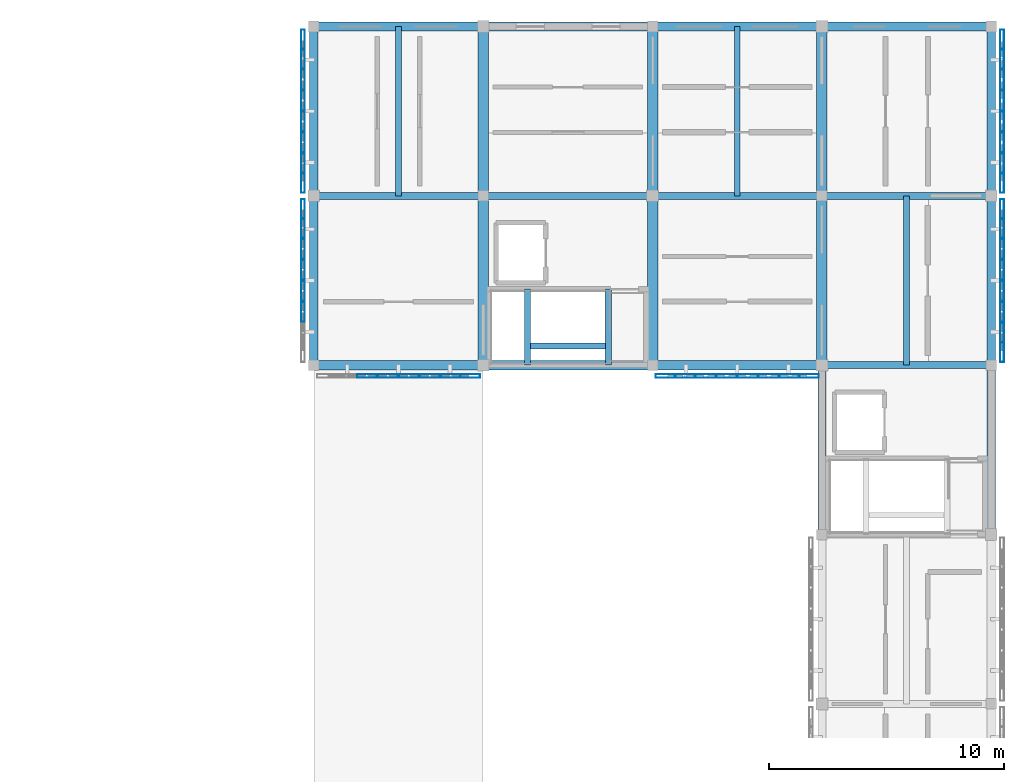
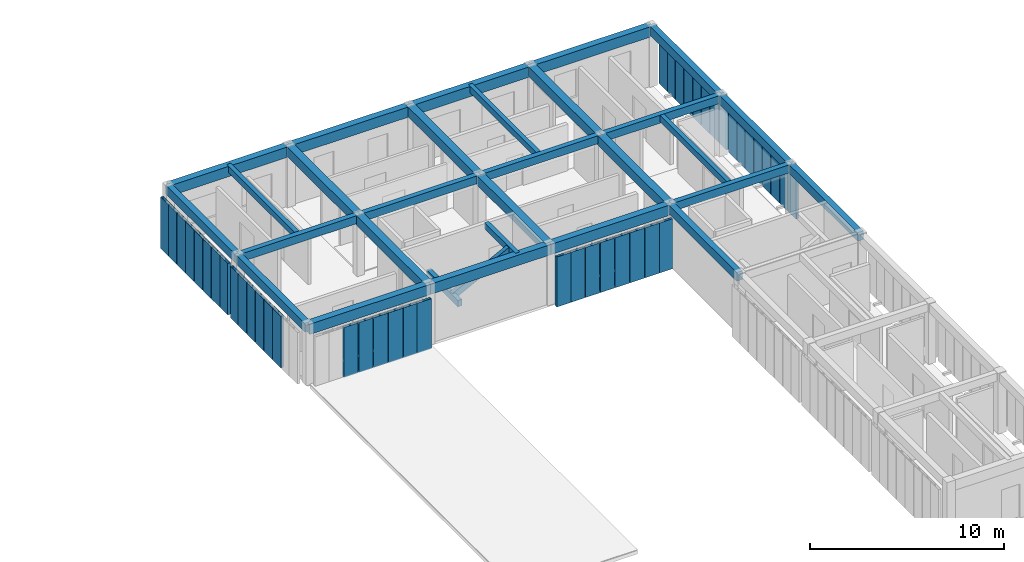
# One storey, part 6 of 33: 44 members, 30 beams, 6 elements without a shape of their own.
"""IFC4 building model written with IfcOpenShell, lengths in metres."""

from ifc_helpers import new_model, si_unit, direction, frame, origin, origin_2d, place, context, subcontext, project, spatial, rectangle, hollow_rectangle, extrude, material, material_profile, profile_set, type_object, element, aggregate, save


model = new_model("IFC4")

# Units and contexts
model_context = context("Model", 3, precision=1e-05, world=origin(), true_north=direction((0.0, 1.0)))
body_context = subcontext(model_context, "Body", "Model", "MODEL_VIEW")
ifc_project = project(units=[si_unit("LENGTHUNIT", "METRE"), si_unit("AREAUNIT", "SQUARE_METRE"), si_unit("VOLUMEUNIT", "CUBIC_METRE"), si_unit("PLANEANGLEUNIT", "RADIAN"), si_unit("MASSUNIT", "GRAM", prefix="KILO")], contexts=[model_context])

# Site, building, storey
site_placement = place(None, origin())
site = spatial("IfcSite", under=ifc_project, at=site_placement, CompositionType="ELEMENT")
building_placement = place(site_placement, origin())
building = spatial("IfcBuilding", under=site, at=building_placement, Name="Aldebral Square Health Centre", CompositionType="ELEMENT")
storey_placement = place(building_placement, frame((0.0, 0.0, 17.550048828125)))
storey = spatial("IfcBuildingStorey", under=building, at=storey_placement, Name="L04", CompositionType="ELEMENT", Elevation=17.550048828125)

# Beams
ifc_material_1 = material(Name="Concrete C40/50", Category="concrete")
ifc_material_profile_1 = material_profile(ifc_material_1, rectangle(XDim=0.39990234375, YDim=0.64990234375, at=origin_2d()), Name="RC 400x650")
ifc_profile_set_1 = profile_set([ifc_material_profile_1], Name="Concrete C40/50")
beam_type_1 = type_object("IfcBeamType", Name="BM-B1", PredefinedType="BEAM", material=ifc_profile_set_1)
for number, where, z_axis, x_axis, name in (
    (1, (136.800048828125, 100.800048828125, 3.474853515625), (1.0, 0.0, 0.0), (0.0, 1.0, 0.0), "L04 X-beam 20-21/G15"),
    (2, (136.800048828125, 115.199951171875, 3.474853515625), (1.0, 0.0, 0.0), (0.0, 1.0, 0.0), "L04 X-beam 20-21/G17"),
    (3, (144.0, 100.800048828125, 3.474853515625), (1.0, 0.0, 0.0), (0.0, 1.0, 0.0), "L04 X-beam 21-22/G15"),
    (4, (144.0, 115.199951171875, 3.474853515625), (1.0, 0.0, 0.0), (0.0, 1.0, 0.0), "L04 X-beam 21-22/G17"),
    (5, (151.199951171875, 100.800048828125, 3.474853515625), (1.0, 0.0, 0.0), (0.0, 1.0, 0.0), "L04 X-beam 22-23/G15"),
    (6, (151.199951171875, 115.199951171875, 3.474853515625), (1.0, 0.0, 0.0), (0.0, 1.0, 0.0), "L04 X-beam 22-23/G17"),
):
    element("IfcBeam", number, at=place(storey_placement, frame(where, z_axis=z_axis, x_axis=x_axis)), inside=storey, type_object=beam_type_1, Name=name, PredefinedType="BEAM", context=body_context, shape_type="SweptSolid", body=[
        extrude(rectangle(XDim=0.39990234375, YDim=0.64990234375, at=origin_2d()), origin(), (0.0, 0.0, 1.0), 7.199951171875),
    ])
beam_1_placement = place(storey_placement, frame((158.39990234375, 115.199951171875, 3.474853515625), z_axis=(1.0, 0.0, 0.0), x_axis=(0.0, 1.0, 0.0)))
element("IfcBeam", 7, at=beam_1_placement, inside=storey, type_object=beam_type_1, Name="L04 X-beam 23-24/G17", PredefinedType="BEAM", context=body_context, shape_type="SweptSolid", body=[
    extrude(rectangle(XDim=0.39990234375, YDim=0.64990234375, at=origin_2d()), origin(), (0.0, 0.0, 1.0), 7.2001953125),
])
ifc_material_profile_2 = material_profile(ifc_material_1, rectangle(XDim=0.35009765625, YDim=0.550048828125, at=origin_2d()), Name="RC 350x550")
ifc_profile_set_2 = profile_set([ifc_material_profile_2], Name="Concrete C40/50")
beam_type_2 = type_object("IfcBeamType", Name="BM-B3", PredefinedType="BEAM", material=ifc_profile_set_2)
for number, where, z_axis, x_axis, name in (
    (8, (136.800048828125, 100.800048828125, 3.52490234375), (0.0, 1.0, 0.0), (-1.0, 0.0, 0.0), "L04 Y-beam G20/15-16"),
    (9, (136.800048828125, 108.0, 3.52490234375), (0.0, 1.0, 0.0), (-1.0, 0.0, 0.0), "L04 Y-beam G20/16-17"),
    (10, (158.39990234375, 93.60009765625, 3.52490234375), (0.0, 1.0, 0.0), (-1.0, 0.0, 0.0), "L04 Y-beam G23/14-15"),
    (11, (165.60009765625, 93.60009765625, 3.52490234375), (0.0, 1.0, 0.0), (-1.0, 0.0, 0.0), "L04 Y-beam G24/14-15"),
    (12, (165.60009765625, 100.800048828125, 3.52490234375), (0.0, 1.0, 0.0), (-1.0, 0.0, 0.0), "L04 Y-beam G24/15-16"),
    (13, (165.60009765625, 108.0, 3.52490234375), (0.0, 1.0, 0.0), (-1.0, 0.0, 0.0), "L04 Y-beam G24/16-17"),
):
    element("IfcBeam", number, at=place(storey_placement, frame(where, z_axis=z_axis, x_axis=x_axis)), inside=storey, type_object=beam_type_2, Name=name, PredefinedType="BEAM", context=body_context, shape_type="SweptSolid", body=[
        extrude(rectangle(XDim=0.35009765625, YDim=0.550048828125, at=origin_2d()), origin(), (0.0, 0.0, 1.0), 7.199951171875),
    ])
ifc_material_profile_3 = material_profile(ifc_material_1, rectangle(XDim=0.300048828125, YDim=0.5, at=origin_2d()), Name="RC 300x500")
ifc_profile_set_3 = profile_set([ifc_material_profile_3], Name="Concrete C40/50")
beam_type_3 = type_object("IfcBeamType", Name="BM-B4", PredefinedType="BEAM", material=ifc_profile_set_3)
for number, where, z_axis, x_axis, name in (
    (14, (136.800048828125, 108.0, 3.550048828125), (1.0, 0.0, 0.0), (0.0, 1.0, 0.0), "L04 X-beam 20-21/G16"),
    (15, (144.0, 108.0, 3.550048828125), (1.0, 0.0, 0.0), (0.0, 1.0, 0.0), "L04 X-beam 21-22/G16"),
    (16, (151.199951171875, 108.0, 3.550048828125), (1.0, 0.0, 0.0), (0.0, 1.0, 0.0), "L04 X-beam 22-23/G16"),
):
    element("IfcBeam", number, at=place(storey_placement, frame(where, z_axis=z_axis, x_axis=x_axis)), inside=storey, type_object=beam_type_3, Name=name, PredefinedType="BEAM", context=body_context, shape_type="SweptSolid", body=[
        extrude(rectangle(XDim=0.300048828125, YDim=0.5, at=origin_2d()), origin(), (0.0, 0.0, 1.0), 7.199951171875),
    ])
for number, where, z_axis, x_axis, name in (
    (17, (158.39990234375, 100.800048828125, 3.550048828125), (1.0, 0.0, 0.0), (0.0, 1.0, 0.0), "L04 X-beam 23-24/G15"),
    (18, (158.39990234375, 108.0, 3.550048828125), (1.0, 0.0, 0.0), (0.0, 1.0, 0.0), "L04 X-beam 23-24/G16"),
):
    element("IfcBeam", number, at=place(storey_placement, frame(where, z_axis=z_axis, x_axis=x_axis)), inside=storey, type_object=beam_type_3, Name=name, PredefinedType="BEAM", context=body_context, shape_type="SweptSolid", body=[
        extrude(rectangle(XDim=0.300048828125, YDim=0.5, at=origin_2d()), origin(), (0.0, 0.0, 1.0), 7.2001953125),
    ])
ifc_material_profile_4 = material_profile(ifc_material_1, rectangle(XDim=0.25, YDim=0.39990234375, at=origin_2d()), Name="RC 250x400")
ifc_profile_set_4 = profile_set([ifc_material_profile_4], Name="Concrete C40/50")
beam_type_4 = type_object("IfcBeamType", Name="BM-B6", PredefinedType="JOIST", material=ifc_profile_set_4)
for number, where, z_axis, x_axis, name in (
    (19, (140.39990234375, 108.0, 3.599853515625), (0.0, 1.0, 0.0), (-1.0, 0.0, 0.0), "L04 secondary rib 20.16"),
    (20, (154.800048828125, 108.0, 3.599853515625), (0.0, 1.0, 0.0), (-1.0, 0.0, 0.0), "L04 secondary rib 22.16"),
    (21, (162.0, 100.800048828125, 3.599853515625), (0.0, 1.0, 0.0), (-1.0, 0.0, 0.0), "L04 secondary rib 23.15"),
):
    element("IfcBeam", number, at=place(storey_placement, frame(where, z_axis=z_axis, x_axis=x_axis)), inside=storey, type_object=beam_type_4, Name=name, PredefinedType="JOIST", context=body_context, shape_type="SweptSolid", body=[
        extrude(rectangle(XDim=0.25, YDim=0.39990234375, at=origin_2d()), origin(), (0.0, 0.0, 1.0), 7.199951171875),
    ])
for number, where, z_axis, x_axis, name in (
    (22, (145.8798828125, 100.81005859375, 1.824951171875), (0.0, 1.0, 0.0), (-1.0, 0.0, 0.0), "L04 WC-C4 half-landing beam"),
    (23, (149.320068359375, 100.81005859375, 3.599853515625), (0.0, 1.0, 0.0), (-1.0, 0.0, 0.0), "L04 WC-C4 upper landing beam"),
):
    element("IfcBeam", number, at=place(storey_placement, frame(where, z_axis=z_axis, x_axis=x_axis)), inside=storey, type_object=beam_type_4, Name=name, PredefinedType="JOIST", context=body_context, shape_type="SweptSolid", body=[
        extrude(rectangle(XDim=0.25, YDim=0.39990234375, at=origin_2d()), origin(), (0.0, 0.0, 1.0), 3.219970703125),
    ])
beam_2_placement = place(storey_placement, frame((145.8798828125, 101.6201171875, 1.824951171875), z_axis=(0.888691954156, 0.0, 0.458504755284), x_axis=(0.0, 1.0, 0.0)))
element("IfcBeam", 24, at=beam_2_placement, inside=storey, type_object=beam_type_4, Name="L04 WC-C4 flight stringer beam", PredefinedType="JOIST", context=body_context, shape_type="SweptSolid", body=[
    extrude(rectangle(XDim=0.25, YDim=0.39990234375, at=origin_2d()), origin(), (0.0, 0.0, 1.0), 3.87109375),
])
ifc_material_profile_5 = material_profile(ifc_material_1, rectangle(XDim=0.449951171875, YDim=0.60009765625, at=origin_2d()), Name="RC 450x600")
ifc_profile_set_5 = profile_set([ifc_material_profile_5], Name="Concrete C40/50")
beam_type_5 = type_object("IfcBeamType", Name="BM-LN1", PredefinedType="LINTEL", material=ifc_profile_set_5)
for number, where, z_axis, x_axis, name in (
    (25, (144.0, 100.800048828125, 3.5), (0.0, 1.0, 0.0), (-1.0, 0.0, 0.0), "L04 Y-beam G21/15-16"),
    (26, (144.0, 108.0, 3.5), (0.0, 1.0, 0.0), (-1.0, 0.0, 0.0), "L04 Y-beam G21/16-17"),
    (27, (151.199951171875, 100.800048828125, 3.5), (0.0, 1.0, 0.0), (-1.0, 0.0, 0.0), "L04 Y-beam G22/15-16"),
    (28, (151.199951171875, 108.0, 3.5), (0.0, 1.0, 0.0), (-1.0, 0.0, 0.0), "L04 Y-beam G22/16-17"),
    (29, (158.39990234375, 100.800048828125, 3.5), (0.0, 1.0, 0.0), (-1.0, 0.0, 0.0), "L04 Y-beam G23/15-16"),
    (30, (158.39990234375, 108.0, 3.5), (0.0, 1.0, 0.0), (-1.0, 0.0, 0.0), "L04 Y-beam G23/16-17"),
):
    element("IfcBeam", number, at=place(storey_placement, frame(where, z_axis=z_axis, x_axis=x_axis)), inside=storey, type_object=beam_type_5, Name=name, PredefinedType="LINTEL", context=body_context, shape_type="SweptSolid", body=[
        extrude(rectangle(XDim=0.449951171875, YDim=0.60009765625, at=origin_2d()), origin(), (0.0, 0.0, 1.0), 7.199951171875),
    ])

# Curtain wall, members
ifc_material_2 = material(Name="Aluminium and low-E solar glass", Category="aluminium")
curtain_wall_type = type_object("IfcCurtainWallType", Name="CW-FIN-SYS", PredefinedType="USERDEFINED", material=ifc_material_2)
curtain_wall_1_placement = place(storey_placement, origin())
curtain_wall_1 = element("IfcCurtainWall", 31, at=curtain_wall_1_placement, inside=storey, type_object=curtain_wall_type, Name="L04 V5 finned curtain wall L04-V5-19-14-S", ObjectType="SOLAR_CURTAIN_WALL", PredefinedType="USERDEFINED")
ifc_material_3 = material(Name="Sienna-terracotta clad aluminium fin", Category="masonry")
ifc_material_profile_6 = material_profile(ifc_material_3, hollow_rectangle(XDim=0.159912109375, YDim=0.85009765625, WallThickness=0.006103515625, at=origin_2d()), Name="FIN 160x850x6")
ifc_profile_set_6 = profile_set([ifc_material_profile_6], Name="Sienna-terracotta clad aluminium fin")
member_type = type_object("IfcMemberType", Name="CWM-FIN", PredefinedType="MULLION", material=ifc_profile_set_6)
member_1_placement = place(storey_placement, frame((139.062744140625, 100.340087890625, 0.0), z_axis=(0.0, 0.0, 1.0), x_axis=(0.0, 1.0, 0.0)))
member_1 = element("IfcMember", 32, at=member_1_placement, type_object=member_type, Name="CW1 mullion 3", PredefinedType="MULLION", context=body_context, shape_type="SweptSolid", body=[
    extrude(hollow_rectangle(XDim=0.159912109375, YDim=0.85009765625, WallThickness=0.006103515625, at=origin_2d()), origin(), (0.0, 0.0, 1.0), 3.14990234375),
])
member_2_placement = place(storey_placement, frame((139.954345703125, 100.340087890625, 0.0), z_axis=(0.0, 0.0, 1.0), x_axis=(0.0, 1.0, 0.0)))
member_2 = element("IfcMember", 33, at=member_2_placement, type_object=member_type, Name="CW1 mullion 4", PredefinedType="MULLION", context=body_context, shape_type="SweptSolid", body=[
    extrude(hollow_rectangle(XDim=0.159912109375, YDim=0.85009765625, WallThickness=0.006103515625, at=origin_2d()), origin(), (0.0, 0.0, 1.0), 3.14990234375),
])
member_3_placement = place(storey_placement, frame((140.845703125, 100.340087890625, 0.0), z_axis=(0.0, 0.0, 1.0), x_axis=(0.0, 1.0, 0.0)))
member_3 = element("IfcMember", 34, at=member_3_placement, type_object=member_type, Name="CW1 mullion 5", PredefinedType="MULLION", context=body_context, shape_type="SweptSolid", body=[
    extrude(hollow_rectangle(XDim=0.159912109375, YDim=0.85009765625, WallThickness=0.006103515625, at=origin_2d()), origin(), (0.0, 0.0, 1.0), 3.14990234375),
])
member_4_placement = place(storey_placement, frame((141.737060546875, 100.340087890625, 0.0), z_axis=(0.0, 0.0, 1.0), x_axis=(0.0, 1.0, 0.0)))
member_4 = element("IfcMember", 35, at=member_4_placement, type_object=member_type, Name="CW1 mullion 6", PredefinedType="MULLION", context=body_context, shape_type="SweptSolid", body=[
    extrude(hollow_rectangle(XDim=0.159912109375, YDim=0.85009765625, WallThickness=0.006103515625, at=origin_2d()), origin(), (0.0, 0.0, 1.0), 3.14990234375),
])
member_5_placement = place(storey_placement, frame((142.628662109375, 100.340087890625, 0.0), z_axis=(0.0, 0.0, 1.0), x_axis=(0.0, 1.0, 0.0)))
member_5 = element("IfcMember", 36, at=member_5_placement, type_object=member_type, Name="CW1 mullion 7", PredefinedType="MULLION", context=body_context, shape_type="SweptSolid", body=[
    extrude(hollow_rectangle(XDim=0.159912109375, YDim=0.85009765625, WallThickness=0.006103515625, at=origin_2d()), origin(), (0.0, 0.0, 1.0), 3.14990234375),
])
member_6_placement = place(storey_placement, frame((143.43994140625, 100.340087890625, 0.0), z_axis=(0.0, 0.0, 1.0), x_axis=(0.0, 1.0, 0.0)))
member_6 = element("IfcMember", 37, at=member_6_placement, type_object=member_type, Name="CW1 mullion 8", PredefinedType="MULLION", context=body_context, shape_type="SweptSolid", body=[
    extrude(hollow_rectangle(XDim=0.159912109375, YDim=0.85009765625, WallThickness=0.006103515625, at=origin_2d()), origin(), (0.0, 0.0, 1.0), 3.14990234375),
])
aggregate(curtain_wall_1, [member_1, member_2, member_3, member_4, member_5, member_6])

curtain_wall_2_placement = place(storey_placement, origin())
curtain_wall_2 = element("IfcCurtainWall", 38, at=curtain_wall_2_placement, inside=storey, type_object=curtain_wall_type, Name="L04 V5 finned curtain wall L04-V5-19-14-W", ObjectType="SOLAR_CURTAIN_WALL", PredefinedType="USERDEFINED")
member_7_placement = place(storey_placement, frame((136.340087890625, 107.43994140625, 0.0), z_axis=(0.0, 0.0, 1.0), x_axis=(1.0, 0.0, 0.0)))
member_7 = element("IfcMember", 39, at=member_7_placement, type_object=member_type, Name="CW1 mullion 1", PredefinedType="MULLION", context=body_context, shape_type="SweptSolid", body=[
    extrude(hollow_rectangle(XDim=0.159912109375, YDim=0.85009765625, WallThickness=0.006103515625, at=origin_2d()), origin(), (0.0, 0.0, 1.0), 3.25),
])
member_8_placement = place(storey_placement, frame((136.340087890625, 106.628662109375, 0.0), z_axis=(0.0, 0.0, 1.0), x_axis=(1.0, 0.0, 0.0)))
member_8 = element("IfcMember", 40, at=member_8_placement, type_object=member_type, Name="CW1 mullion 2", PredefinedType="MULLION", context=body_context, shape_type="SweptSolid", body=[
    extrude(hollow_rectangle(XDim=0.159912109375, YDim=0.85009765625, WallThickness=0.006103515625, at=origin_2d()), origin(), (0.0, 0.0, 1.0), 3.25),
])
member_9_placement = place(storey_placement, frame((136.340087890625, 105.737060546875, 0.0), z_axis=(0.0, 0.0, 1.0), x_axis=(1.0, 0.0, 0.0)))
member_9 = element("IfcMember", 41, at=member_9_placement, type_object=member_type, Name="CW1 mullion 3", PredefinedType="MULLION", context=body_context, shape_type="SweptSolid", body=[
    extrude(hollow_rectangle(XDim=0.159912109375, YDim=0.85009765625, WallThickness=0.006103515625, at=origin_2d()), origin(), (0.0, 0.0, 1.0), 3.25),
])
member_10_placement = place(storey_placement, frame((136.340087890625, 104.845703125, 0.0), z_axis=(0.0, 0.0, 1.0), x_axis=(1.0, 0.0, 0.0)))
member_10 = element("IfcMember", 42, at=member_10_placement, type_object=member_type, Name="CW1 mullion 4", PredefinedType="MULLION", context=body_context, shape_type="SweptSolid", body=[
    extrude(hollow_rectangle(XDim=0.159912109375, YDim=0.85009765625, WallThickness=0.006103515625, at=origin_2d()), origin(), (0.0, 0.0, 1.0), 3.25),
])
member_11_placement = place(storey_placement, frame((136.340087890625, 103.954345703125, 0.0), z_axis=(0.0, 0.0, 1.0), x_axis=(1.0, 0.0, 0.0)))
member_11 = element("IfcMember", 43, at=member_11_placement, type_object=member_type, Name="CW1 mullion 5", PredefinedType="MULLION", context=body_context, shape_type="SweptSolid", body=[
    extrude(hollow_rectangle(XDim=0.159912109375, YDim=0.85009765625, WallThickness=0.006103515625, at=origin_2d()), origin(), (0.0, 0.0, 1.0), 3.25),
])
member_12_placement = place(storey_placement, frame((136.340087890625, 103.062744140625, 0.0), z_axis=(0.0, 0.0, 1.0), x_axis=(1.0, 0.0, 0.0)))
member_12 = element("IfcMember", 44, at=member_12_placement, type_object=member_type, Name="CW1 mullion 6", PredefinedType="MULLION", context=body_context, shape_type="SweptSolid", body=[
    extrude(hollow_rectangle(XDim=0.159912109375, YDim=0.85009765625, WallThickness=0.006103515625, at=origin_2d()), origin(), (0.0, 0.0, 1.0), 3.25),
])
aggregate(curtain_wall_2, [member_7, member_8, member_9, member_10, member_11, member_12])

curtain_wall_3_placement = place(storey_placement, origin())
curtain_wall_3 = element("IfcCurtainWall", 45, at=curtain_wall_3_placement, inside=storey, type_object=curtain_wall_type, Name="L04 V5 finned curtain wall L04-V5-19-15-W", ObjectType="SOLAR_CURTAIN_WALL", PredefinedType="USERDEFINED")
member_13_placement = place(storey_placement, frame((136.340087890625, 114.639892578125, 0.0), z_axis=(0.0, 0.0, 1.0), x_axis=(1.0, 0.0, 0.0)))
member_13 = element("IfcMember", 46, at=member_13_placement, type_object=member_type, Name="CW1 mullion 1", PredefinedType="MULLION", context=body_context, shape_type="SweptSolid", body=[
    extrude(hollow_rectangle(XDim=0.159912109375, YDim=0.85009765625, WallThickness=0.006103515625, at=origin_2d()), origin(), (0.0, 0.0, 1.0), 3.25),
])
member_14_placement = place(storey_placement, frame((136.340087890625, 113.82861328125, 0.0), z_axis=(0.0, 0.0, 1.0), x_axis=(1.0, 0.0, 0.0)))
member_14 = element("IfcMember", 47, at=member_14_placement, type_object=member_type, Name="CW1 mullion 2", PredefinedType="MULLION", context=body_context, shape_type="SweptSolid", body=[
    extrude(hollow_rectangle(XDim=0.159912109375, YDim=0.85009765625, WallThickness=0.006103515625, at=origin_2d()), origin(), (0.0, 0.0, 1.0), 3.25),
])
member_15_placement = place(storey_placement, frame((136.340087890625, 112.937255859375, 0.0), z_axis=(0.0, 0.0, 1.0), x_axis=(1.0, 0.0, 0.0)))
member_15 = element("IfcMember", 48, at=member_15_placement, type_object=member_type, Name="CW1 mullion 3", PredefinedType="MULLION", context=body_context, shape_type="SweptSolid", body=[
    extrude(hollow_rectangle(XDim=0.159912109375, YDim=0.85009765625, WallThickness=0.006103515625, at=origin_2d()), origin(), (0.0, 0.0, 1.0), 3.25),
])
member_16_placement = place(storey_placement, frame((136.340087890625, 112.045654296875, 0.0), z_axis=(0.0, 0.0, 1.0), x_axis=(1.0, 0.0, 0.0)))
member_16 = element("IfcMember", 49, at=member_16_placement, type_object=member_type, Name="CW1 mullion 4", PredefinedType="MULLION", context=body_context, shape_type="SweptSolid", body=[
    extrude(hollow_rectangle(XDim=0.159912109375, YDim=0.85009765625, WallThickness=0.006103515625, at=origin_2d()), origin(), (0.0, 0.0, 1.0), 3.25),
])
member_17_placement = place(storey_placement, frame((136.340087890625, 111.154296875, 0.0), z_axis=(0.0, 0.0, 1.0), x_axis=(1.0, 0.0, 0.0)))
member_17 = element("IfcMember", 50, at=member_17_placement, type_object=member_type, Name="CW1 mullion 5", PredefinedType="MULLION", context=body_context, shape_type="SweptSolid", body=[
    extrude(hollow_rectangle(XDim=0.159912109375, YDim=0.85009765625, WallThickness=0.006103515625, at=origin_2d()), origin(), (0.0, 0.0, 1.0), 3.25),
])
member_18_placement = place(storey_placement, frame((136.340087890625, 110.262939453125, 0.0), z_axis=(0.0, 0.0, 1.0), x_axis=(1.0, 0.0, 0.0)))
member_18 = element("IfcMember", 51, at=member_18_placement, type_object=member_type, Name="CW1 mullion 6", PredefinedType="MULLION", context=body_context, shape_type="SweptSolid", body=[
    extrude(hollow_rectangle(XDim=0.159912109375, YDim=0.85009765625, WallThickness=0.006103515625, at=origin_2d()), origin(), (0.0, 0.0, 1.0), 3.25),
])
member_19_placement = place(storey_placement, frame((136.340087890625, 109.371337890625, 0.0), z_axis=(0.0, 0.0, 1.0), x_axis=(1.0, 0.0, 0.0)))
member_19 = element("IfcMember", 52, at=member_19_placement, type_object=member_type, Name="CW1 mullion 7", PredefinedType="MULLION", context=body_context, shape_type="SweptSolid", body=[
    extrude(hollow_rectangle(XDim=0.159912109375, YDim=0.85009765625, WallThickness=0.006103515625, at=origin_2d()), origin(), (0.0, 0.0, 1.0), 3.25),
])
member_20_placement = place(storey_placement, frame((136.340087890625, 108.56005859375, 0.0), z_axis=(0.0, 0.0, 1.0), x_axis=(1.0, 0.0, 0.0)))
member_20 = element("IfcMember", 53, at=member_20_placement, type_object=member_type, Name="CW1 mullion 8", PredefinedType="MULLION", context=body_context, shape_type="SweptSolid", body=[
    extrude(hollow_rectangle(XDim=0.159912109375, YDim=0.85009765625, WallThickness=0.006103515625, at=origin_2d()), origin(), (0.0, 0.0, 1.0), 3.25),
])
aggregate(curtain_wall_3, [member_13, member_14, member_15, member_16, member_17, member_18, member_19, member_20])

curtain_wall_4_placement = place(storey_placement, origin())
curtain_wall_4 = element("IfcCurtainWall", 54, at=curtain_wall_4_placement, inside=storey, type_object=curtain_wall_type, Name="L04 V5 finned curtain wall L04-V5-21-14-S", ObjectType="SOLAR_CURTAIN_WALL", PredefinedType="USERDEFINED")
member_21_placement = place(storey_placement, frame((151.760009765625, 100.340087890625, 0.0), z_axis=(0.0, 0.0, 1.0), x_axis=(0.0, 1.0, 0.0)))
member_21 = element("IfcMember", 55, at=member_21_placement, type_object=member_type, Name="CW1 mullion 1", PredefinedType="MULLION", context=body_context, shape_type="SweptSolid", body=[
    extrude(hollow_rectangle(XDim=0.159912109375, YDim=0.85009765625, WallThickness=0.006103515625, at=origin_2d()), origin(), (0.0, 0.0, 1.0), 3.14990234375),
])
member_22_placement = place(storey_placement, frame((152.571533203125, 100.340087890625, 0.0), z_axis=(0.0, 0.0, 1.0), x_axis=(0.0, 1.0, 0.0)))
member_22 = element("IfcMember", 56, at=member_22_placement, type_object=member_type, Name="CW1 mullion 2", PredefinedType="MULLION", context=body_context, shape_type="SweptSolid", body=[
    extrude(hollow_rectangle(XDim=0.159912109375, YDim=0.85009765625, WallThickness=0.006103515625, at=origin_2d()), origin(), (0.0, 0.0, 1.0), 3.14990234375),
])
member_23_placement = place(storey_placement, frame((153.462890625, 100.340087890625, 0.0), z_axis=(0.0, 0.0, 1.0), x_axis=(0.0, 1.0, 0.0)))
member_23 = element("IfcMember", 57, at=member_23_placement, type_object=member_type, Name="CW1 mullion 3", PredefinedType="MULLION", context=body_context, shape_type="SweptSolid", body=[
    extrude(hollow_rectangle(XDim=0.159912109375, YDim=0.85009765625, WallThickness=0.006103515625, at=origin_2d()), origin(), (0.0, 0.0, 1.0), 3.14990234375),
])
member_24_placement = place(storey_placement, frame((154.354248046875, 100.340087890625, 0.0), z_axis=(0.0, 0.0, 1.0), x_axis=(0.0, 1.0, 0.0)))
member_24 = element("IfcMember", 58, at=member_24_placement, type_object=member_type, Name="CW1 mullion 4", PredefinedType="MULLION", context=body_context, shape_type="SweptSolid", body=[
    extrude(hollow_rectangle(XDim=0.159912109375, YDim=0.85009765625, WallThickness=0.006103515625, at=origin_2d()), origin(), (0.0, 0.0, 1.0), 3.14990234375),
])
member_25_placement = place(storey_placement, frame((155.24560546875, 100.340087890625, 0.0), z_axis=(0.0, 0.0, 1.0), x_axis=(0.0, 1.0, 0.0)))
member_25 = element("IfcMember", 59, at=member_25_placement, type_object=member_type, Name="CW1 mullion 5", PredefinedType="MULLION", context=body_context, shape_type="SweptSolid", body=[
    extrude(hollow_rectangle(XDim=0.159912109375, YDim=0.85009765625, WallThickness=0.006103515625, at=origin_2d()), origin(), (0.0, 0.0, 1.0), 3.14990234375),
])
member_26_placement = place(storey_placement, frame((156.13720703125, 100.340087890625, 0.0), z_axis=(0.0, 0.0, 1.0), x_axis=(0.0, 1.0, 0.0)))
member_26 = element("IfcMember", 60, at=member_26_placement, type_object=member_type, Name="CW1 mullion 6", PredefinedType="MULLION", context=body_context, shape_type="SweptSolid", body=[
    extrude(hollow_rectangle(XDim=0.159912109375, YDim=0.85009765625, WallThickness=0.006103515625, at=origin_2d()), origin(), (0.0, 0.0, 1.0), 3.14990234375),
])
member_27_placement = place(storey_placement, frame((157.028564453125, 100.340087890625, 0.0), z_axis=(0.0, 0.0, 1.0), x_axis=(0.0, 1.0, 0.0)))
member_27 = element("IfcMember", 61, at=member_27_placement, type_object=member_type, Name="CW1 mullion 7", PredefinedType="MULLION", context=body_context, shape_type="SweptSolid", body=[
    extrude(hollow_rectangle(XDim=0.159912109375, YDim=0.85009765625, WallThickness=0.006103515625, at=origin_2d()), origin(), (0.0, 0.0, 1.0), 3.14990234375),
])
member_28_placement = place(storey_placement, frame((157.840087890625, 100.340087890625, 0.0), z_axis=(0.0, 0.0, 1.0), x_axis=(0.0, 1.0, 0.0)))
member_28 = element("IfcMember", 62, at=member_28_placement, type_object=member_type, Name="CW1 mullion 8", PredefinedType="MULLION", context=body_context, shape_type="SweptSolid", body=[
    extrude(hollow_rectangle(XDim=0.159912109375, YDim=0.85009765625, WallThickness=0.006103515625, at=origin_2d()), origin(), (0.0, 0.0, 1.0), 3.14990234375),
])
aggregate(curtain_wall_4, [member_21, member_22, member_23, member_24, member_25, member_26, member_27, member_28])

curtain_wall_5_placement = place(storey_placement, origin())
curtain_wall_5 = element("IfcCurtainWall", 63, at=curtain_wall_5_placement, inside=storey, type_object=curtain_wall_type, Name="L04 V5 finned curtain wall L04-V5-22-14-E", ObjectType="SOLAR_CURTAIN_WALL", PredefinedType="USERDEFINED")
member_29_placement = place(storey_placement, frame((166.06005859375, 101.360107421875, 0.0), z_axis=(0.0, 0.0, 1.0), x_axis=(-1.0, 0.0, 0.0)))
member_29 = element("IfcMember", 64, at=member_29_placement, type_object=member_type, Name="CW1 mullion 1", PredefinedType="MULLION", context=body_context, shape_type="SweptSolid", body=[
    extrude(hollow_rectangle(XDim=0.159912109375, YDim=0.85009765625, WallThickness=0.006103515625, at=origin_2d()), origin(), (0.0, 0.0, 1.0), 3.25),
])
member_30_placement = place(storey_placement, frame((166.06005859375, 102.17138671875, 0.0), z_axis=(0.0, 0.0, 1.0), x_axis=(-1.0, 0.0, 0.0)))
member_30 = element("IfcMember", 65, at=member_30_placement, type_object=member_type, Name="CW1 mullion 2", PredefinedType="MULLION", context=body_context, shape_type="SweptSolid", body=[
    extrude(hollow_rectangle(XDim=0.159912109375, YDim=0.85009765625, WallThickness=0.006103515625, at=origin_2d()), origin(), (0.0, 0.0, 1.0), 3.25),
])
member_31_placement = place(storey_placement, frame((166.06005859375, 103.062744140625, 0.0), z_axis=(0.0, 0.0, 1.0), x_axis=(-1.0, 0.0, 0.0)))
member_31 = element("IfcMember", 66, at=member_31_placement, type_object=member_type, Name="CW1 mullion 3", PredefinedType="MULLION", context=body_context, shape_type="SweptSolid", body=[
    extrude(hollow_rectangle(XDim=0.159912109375, YDim=0.85009765625, WallThickness=0.006103515625, at=origin_2d()), origin(), (0.0, 0.0, 1.0), 3.25),
])
member_32_placement = place(storey_placement, frame((166.06005859375, 103.954345703125, 0.0), z_axis=(0.0, 0.0, 1.0), x_axis=(-1.0, 0.0, 0.0)))
member_32 = element("IfcMember", 67, at=member_32_placement, type_object=member_type, Name="CW1 mullion 4", PredefinedType="MULLION", context=body_context, shape_type="SweptSolid", body=[
    extrude(hollow_rectangle(XDim=0.159912109375, YDim=0.85009765625, WallThickness=0.006103515625, at=origin_2d()), origin(), (0.0, 0.0, 1.0), 3.25),
])
member_33_placement = place(storey_placement, frame((166.06005859375, 104.845703125, 0.0), z_axis=(0.0, 0.0, 1.0), x_axis=(-1.0, 0.0, 0.0)))
member_33 = element("IfcMember", 68, at=member_33_placement, type_object=member_type, Name="CW1 mullion 5", PredefinedType="MULLION", context=body_context, shape_type="SweptSolid", body=[
    extrude(hollow_rectangle(XDim=0.159912109375, YDim=0.85009765625, WallThickness=0.006103515625, at=origin_2d()), origin(), (0.0, 0.0, 1.0), 3.25),
])
member_34_placement = place(storey_placement, frame((166.06005859375, 105.737060546875, 0.0), z_axis=(0.0, 0.0, 1.0), x_axis=(-1.0, 0.0, 0.0)))
member_34 = element("IfcMember", 69, at=member_34_placement, type_object=member_type, Name="CW1 mullion 6", PredefinedType="MULLION", context=body_context, shape_type="SweptSolid", body=[
    extrude(hollow_rectangle(XDim=0.159912109375, YDim=0.85009765625, WallThickness=0.006103515625, at=origin_2d()), origin(), (0.0, 0.0, 1.0), 3.25),
])
member_35_placement = place(storey_placement, frame((166.06005859375, 106.628662109375, 0.0), z_axis=(0.0, 0.0, 1.0), x_axis=(-1.0, 0.0, 0.0)))
member_35 = element("IfcMember", 70, at=member_35_placement, type_object=member_type, Name="CW1 mullion 7", PredefinedType="MULLION", context=body_context, shape_type="SweptSolid", body=[
    extrude(hollow_rectangle(XDim=0.159912109375, YDim=0.85009765625, WallThickness=0.006103515625, at=origin_2d()), origin(), (0.0, 0.0, 1.0), 3.25),
])
member_36_placement = place(storey_placement, frame((166.06005859375, 107.43994140625, 0.0), z_axis=(0.0, 0.0, 1.0), x_axis=(-1.0, 0.0, 0.0)))
member_36 = element("IfcMember", 71, at=member_36_placement, type_object=member_type, Name="CW1 mullion 8", PredefinedType="MULLION", context=body_context, shape_type="SweptSolid", body=[
    extrude(hollow_rectangle(XDim=0.159912109375, YDim=0.85009765625, WallThickness=0.006103515625, at=origin_2d()), origin(), (0.0, 0.0, 1.0), 3.25),
])
aggregate(curtain_wall_5, [member_29, member_30, member_31, member_32, member_33, member_34, member_35, member_36])

curtain_wall_6_placement = place(storey_placement, origin())
curtain_wall_6 = element("IfcCurtainWall", 72, at=curtain_wall_6_placement, inside=storey, type_object=curtain_wall_type, Name="L04 V5 finned curtain wall L04-V5-22-15-E", ObjectType="SOLAR_CURTAIN_WALL", PredefinedType="USERDEFINED")
member_37_placement = place(storey_placement, frame((166.06005859375, 108.56005859375, 0.0), z_axis=(0.0, 0.0, 1.0), x_axis=(-1.0, 0.0, 0.0)))
member_37 = element("IfcMember", 73, at=member_37_placement, type_object=member_type, Name="CW1 mullion 1", PredefinedType="MULLION", context=body_context, shape_type="SweptSolid", body=[
    extrude(hollow_rectangle(XDim=0.159912109375, YDim=0.85009765625, WallThickness=0.006103515625, at=origin_2d()), origin(), (0.0, 0.0, 1.0), 3.25),
])
member_38_placement = place(storey_placement, frame((166.06005859375, 109.371337890625, 0.0), z_axis=(0.0, 0.0, 1.0), x_axis=(-1.0, 0.0, 0.0)))
member_38 = element("IfcMember", 74, at=member_38_placement, type_object=member_type, Name="CW1 mullion 2", PredefinedType="MULLION", context=body_context, shape_type="SweptSolid", body=[
    extrude(hollow_rectangle(XDim=0.159912109375, YDim=0.85009765625, WallThickness=0.006103515625, at=origin_2d()), origin(), (0.0, 0.0, 1.0), 3.25),
])
member_39_placement = place(storey_placement, frame((166.06005859375, 110.262939453125, 0.0), z_axis=(0.0, 0.0, 1.0), x_axis=(-1.0, 0.0, 0.0)))
member_39 = element("IfcMember", 75, at=member_39_placement, type_object=member_type, Name="CW1 mullion 3", PredefinedType="MULLION", context=body_context, shape_type="SweptSolid", body=[
    extrude(hollow_rectangle(XDim=0.159912109375, YDim=0.85009765625, WallThickness=0.006103515625, at=origin_2d()), origin(), (0.0, 0.0, 1.0), 3.25),
])
member_40_placement = place(storey_placement, frame((166.06005859375, 111.154296875, 0.0), z_axis=(0.0, 0.0, 1.0), x_axis=(-1.0, 0.0, 0.0)))
member_40 = element("IfcMember", 76, at=member_40_placement, type_object=member_type, Name="CW1 mullion 4", PredefinedType="MULLION", context=body_context, shape_type="SweptSolid", body=[
    extrude(hollow_rectangle(XDim=0.159912109375, YDim=0.85009765625, WallThickness=0.006103515625, at=origin_2d()), origin(), (0.0, 0.0, 1.0), 3.25),
])
member_41_placement = place(storey_placement, frame((166.06005859375, 112.045654296875, 0.0), z_axis=(0.0, 0.0, 1.0), x_axis=(-1.0, 0.0, 0.0)))
member_41 = element("IfcMember", 77, at=member_41_placement, type_object=member_type, Name="CW1 mullion 5", PredefinedType="MULLION", context=body_context, shape_type="SweptSolid", body=[
    extrude(hollow_rectangle(XDim=0.159912109375, YDim=0.85009765625, WallThickness=0.006103515625, at=origin_2d()), origin(), (0.0, 0.0, 1.0), 3.25),
])
member_42_placement = place(storey_placement, frame((166.06005859375, 112.937255859375, 0.0), z_axis=(0.0, 0.0, 1.0), x_axis=(-1.0, 0.0, 0.0)))
member_42 = element("IfcMember", 78, at=member_42_placement, type_object=member_type, Name="CW1 mullion 6", PredefinedType="MULLION", context=body_context, shape_type="SweptSolid", body=[
    extrude(hollow_rectangle(XDim=0.159912109375, YDim=0.85009765625, WallThickness=0.006103515625, at=origin_2d()), origin(), (0.0, 0.0, 1.0), 3.25),
])
member_43_placement = place(storey_placement, frame((166.06005859375, 113.82861328125, 0.0), z_axis=(0.0, 0.0, 1.0), x_axis=(-1.0, 0.0, 0.0)))
member_43 = element("IfcMember", 79, at=member_43_placement, type_object=member_type, Name="CW1 mullion 7", PredefinedType="MULLION", context=body_context, shape_type="SweptSolid", body=[
    extrude(hollow_rectangle(XDim=0.159912109375, YDim=0.85009765625, WallThickness=0.006103515625, at=origin_2d()), origin(), (0.0, 0.0, 1.0), 3.25),
])
member_44_placement = place(storey_placement, frame((166.06005859375, 114.639892578125, 0.0), z_axis=(0.0, 0.0, 1.0), x_axis=(-1.0, 0.0, 0.0)))
member_44 = element("IfcMember", 80, at=member_44_placement, type_object=member_type, Name="CW1 mullion 8", PredefinedType="MULLION", context=body_context, shape_type="SweptSolid", body=[
    extrude(hollow_rectangle(XDim=0.159912109375, YDim=0.85009765625, WallThickness=0.006103515625, at=origin_2d()), origin(), (0.0, 0.0, 1.0), 3.25),
])
aggregate(curtain_wall_6, [member_37, member_38, member_39, member_40, member_41, member_42, member_43, member_44])

save(model, "model.ifc")
